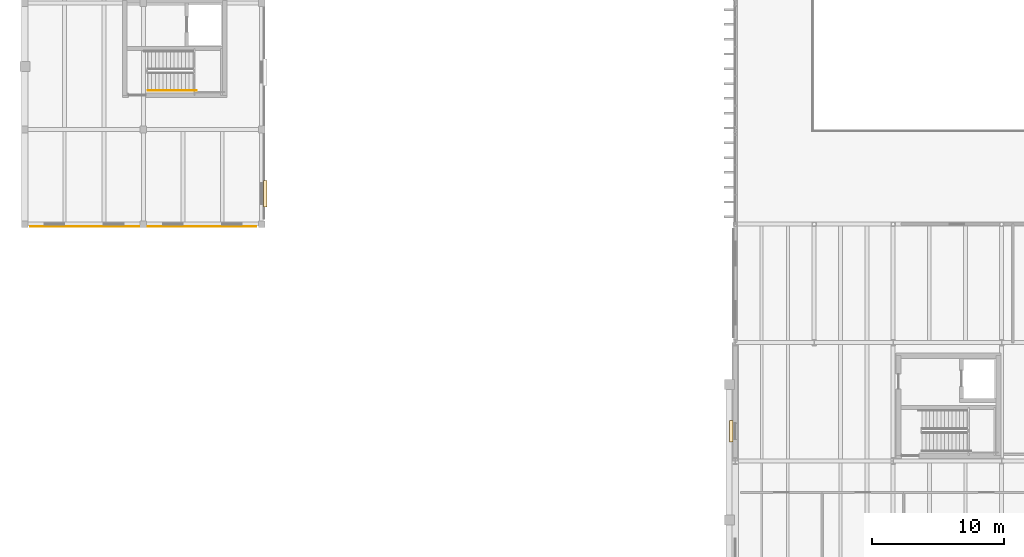
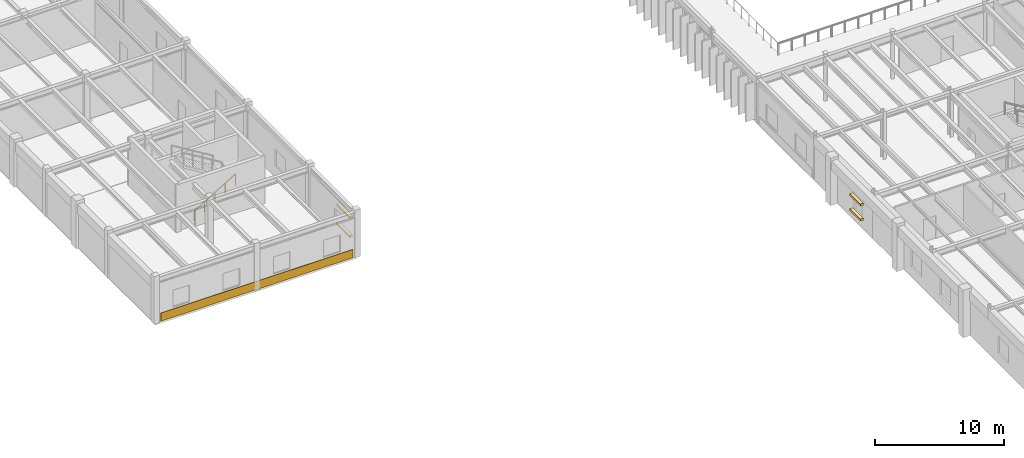
# One storey, part 55 of 64: 5 coverings, 1 railing.
"""IFC4 building model written with IfcOpenShell, lengths in metres."""

from ifc_helpers import new_model, si_unit, direction, frame, origin, origin_2d, place, context, subcontext, project, spatial, rectangle, circle, extrude, material, layer, layer_set, type_object, element, save


model = new_model("IFC4")

# Units and contexts
model_context = context("Model", 3, precision=1e-05, world=origin(), true_north=direction((0.0, 1.0)))
body_context = subcontext(model_context, "Body", "Model", "MODEL_VIEW")
ifc_project = project(units=[si_unit("LENGTHUNIT", "METRE"), si_unit("AREAUNIT", "SQUARE_METRE"), si_unit("VOLUMEUNIT", "CUBIC_METRE"), si_unit("PLANEANGLEUNIT", "RADIAN"), si_unit("MASSUNIT", "GRAM", prefix="KILO")], contexts=[model_context])

# Site, building, storey
site_placement = place(None, origin())
site = spatial("IfcSite", under=ifc_project, at=site_placement, CompositionType="ELEMENT")
building_placement = place(site_placement, origin())
building = spatial("IfcBuilding", under=site, at=building_placement, Name="Montealbar Specialist Clinic", CompositionType="ELEMENT")
storey_placement = place(building_placement, frame((0.0, 0.0, 5.10009765625)))
storey = spatial("IfcBuildingStorey", under=building, at=storey_placement, Name="L01", CompositionType="ELEMENT", Elevation=5.10009765625)

# Coverings
ifc_material_1 = material(Name="Terracotta architectural cladding", Category="masonry")
ifc_layer_1 = layer(ifc_material_1, 0.044921875, Name="Terracotta architectural cladding", Category="masonry")
ifc_layer_set_1 = layer_set([ifc_layer_1], Name="Terracotta architectural cladding")
covering_type_1 = type_object("IfcCoveringType", Name="COV-CLAD-TERRA", PredefinedType="CLADDING", material=ifc_layer_set_1)
covering_placement = place(storey_placement, frame((9.0, 44.840087890625, 0.02978515625), z_axis=(0.0, 0.0, 1.0), x_axis=(-1.0, 0.0, 0.0)))
element("IfcCovering", 1, at=covering_placement, inside=storey, type_object=covering_type_1, Name="Facade Plinth Cladding Band L01-025", PredefinedType="CLADDING", context=body_context, shape_type="SweptSolid", body=[
    extrude(rectangle(XDim=17.199951171875, YDim=0.044921875, at=origin_2d()), origin(), (0.0, 0.0, 1.0), 0.780029296875),
])
ifc_material_2 = material(Name="Guadarrama granite ashlar", Category="masonry")
ifc_layer_2 = layer(ifc_material_2, 0.280029296875, Name="Guadarrama granite ashlar", Category="masonry")
ifc_layer_set_2 = layer_set([ifc_layer_2], Name="Guadarrama granite ashlar")
covering_type_2 = type_object("IfcCoveringType", Name="COV-HOOD-OCULUS", PredefinedType="CLADDING", material=ifc_layer_set_2)
for number, where, z_axis, x_axis, name in (
    (2, (18.27490234375, 47.30908203125, 2.64990234375), (0.0, 0.0, 1.0), (0.0, -1.0, 0.0), "Postmodern Oculus Stone Frame L01-034-TOP"),
    (3, (18.27490234375, 47.30908203125, 0.830078125), (0.0, 0.0, 1.0), (0.0, -1.0, 0.0), "Postmodern Oculus Stone Frame L01-034-BOT"),
):
    element("IfcCovering", number, at=place(storey_placement, frame(where, z_axis=z_axis, x_axis=x_axis)), inside=storey, type_object=covering_type_2, Name=name, PredefinedType="CLADDING", context=body_context, shape_type="SweptSolid", body=[
        extrude(rectangle(XDim=2.0400390625, YDim=0.280029296875, at=origin_2d()), origin(), (0.0, 0.0, 1.0), 0.199951171875),
    ])
for number, where, z_axis, x_axis, name in (
    (4, (53.68994140625, 29.25, 2.25), (0.0, 0.0, 1.0), (0.0, 1.0, 0.0), "Postmodern Oculus Stone Frame L01-035-TOP"),
    (5, (53.68994140625, 29.25, 0.830078125), (0.0, 0.0, 1.0), (0.0, 1.0, 0.0), "Postmodern Oculus Stone Frame L01-035-BOT"),
):
    element("IfcCovering", number, at=place(storey_placement, frame(where, z_axis=z_axis, x_axis=x_axis)), inside=storey, type_object=covering_type_2, Name=name, PredefinedType="CLADDING", context=body_context, shape_type="SweptSolid", body=[
        extrude(rectangle(XDim=1.639892578125, YDim=0.280029296875, at=origin_2d()), origin(), (0.0, 0.0, 1.0), 0.199951171875),
    ])

# Railing
ifc_material_3 = material(Name="Steel S355", Category="steel")
ifc_layer_3 = layer(ifc_material_3, 0.044921875, Name="Steel S355", Category="steel")
ifc_layer_set_3 = layer_set([ifc_layer_3], Name="Steel S355")
railing_type = type_object("IfcRailingType", Name="RAIL-STAIR-HR-900", PredefinedType="HANDRAIL", material=ifc_layer_set_3)
railing_placement = place(storey_placement, frame((9.35009765625, 55.14990234375, 0.173095703125)))
element("IfcRailing", 6, at=railing_placement, inside=storey, type_object=railing_type, Name="L01 ST-01 stair handrail 1", PredefinedType="HANDRAIL", context=body_context, shape_type="SweptSolid", body=[
    extrude(circle(Radius=0.02392578125, at=origin_2d()), frame((0.0, 0.0, 0.8759765625), z_axis=(0.854722365387, 0.0, 0.519085424673), x_axis=(0.0, 1.0, 0.0)), (0.0, 0.0, 1.0), 4.33447265625),
    extrude(circle(Radius=0.02099609375, at=origin_2d()), frame((0.0, 0.0, -0.02490234375)), (0.0, 0.0, 1.0), 0.876708984375),
    extrude(circle(Radius=0.02099609375, at=origin_2d()), frame((0.92626953125, 0.0, 0.53759765625)), (0.0, 0.0, 1.0), 0.876708984375),
    extrude(circle(Radius=0.02099609375, at=origin_2d()), frame((1.8525390625, 0.0, 1.10009765625)), (0.0, 0.0, 1.0), 0.876708984375),
    extrude(circle(Radius=0.02099609375, at=origin_2d()), frame((2.778564453125, 0.0, 1.66259765625)), (0.0, 0.0, 1.0), 0.876708984375),
    extrude(circle(Radius=0.02099609375, at=origin_2d()), frame((3.704833984375, 0.0, 2.052001953125)), (0.0, 0.0, 1.0), 1.0498046875),
])

save(model, "model.ifc")
